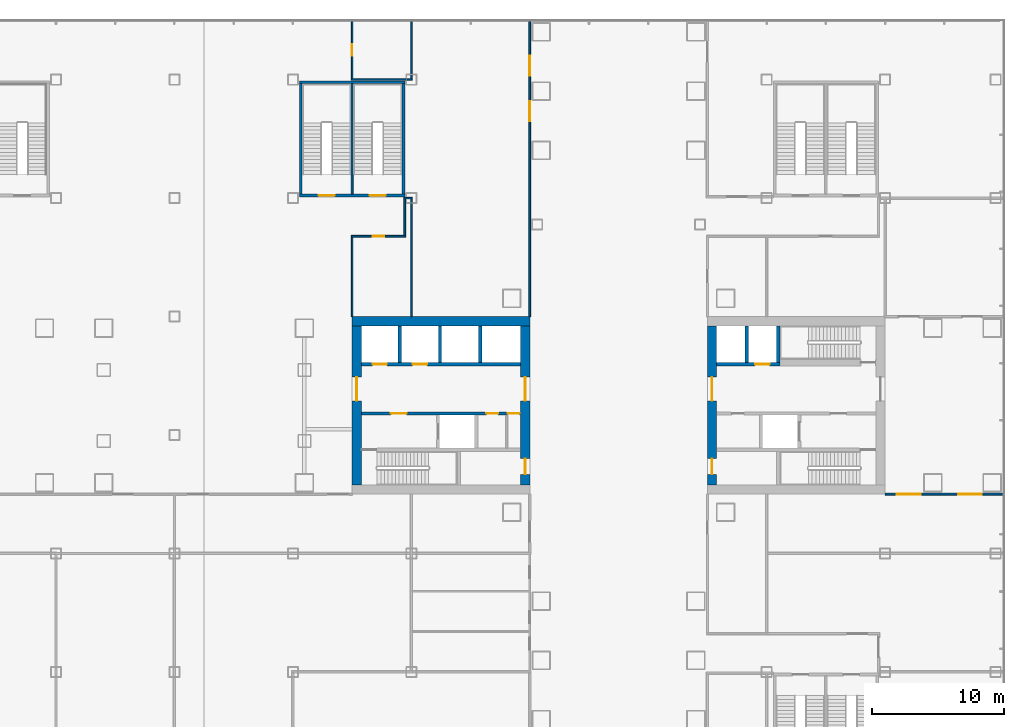
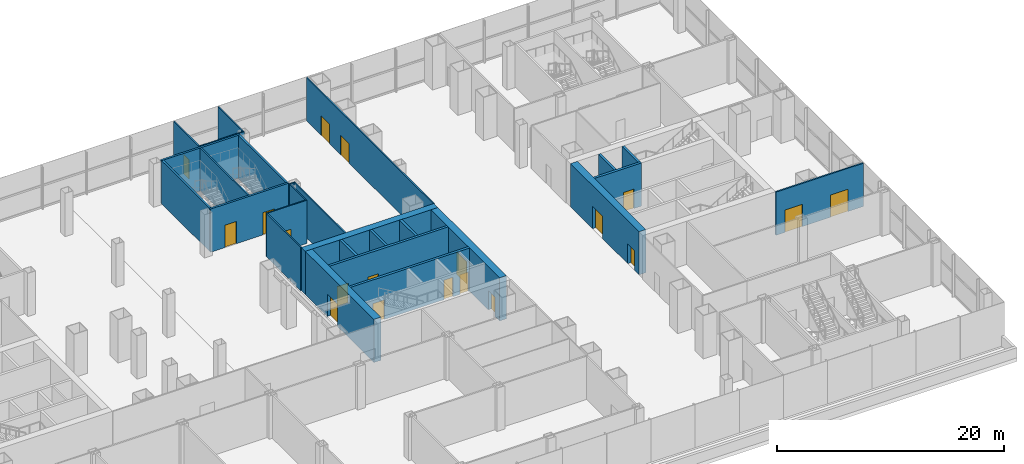
# One storey, part 22 of 30: 27 walls, 19 doors, 19 openings.
"""IFC4 building model written with IfcOpenShell, lengths in metres."""

from ifc_helpers import new_model, si_unit, direction, frame, frame_2d, origin, place, context, subcontext, project, spatial, rectangle, extrude, material, layer, layer_set, type_object, element, fill, save


model = new_model("IFC4")

# Units and contexts
model_context = context("Model", 3, precision=1e-05, world=origin(), true_north=direction((0.0, 1.0)))
body_context = subcontext(model_context, "Body", "Model", "MODEL_VIEW")
ifc_project = project(units=[si_unit("LENGTHUNIT", "METRE"), si_unit("AREAUNIT", "SQUARE_METRE"), si_unit("VOLUMEUNIT", "CUBIC_METRE"), si_unit("PLANEANGLEUNIT", "RADIAN"), si_unit("MASSUNIT", "GRAM", prefix="KILO")], contexts=[model_context])

# Site, building, storey
site_placement = place(None, origin())
site = spatial("IfcSite", under=ifc_project, at=site_placement, CompositionType="ELEMENT")
building_placement = place(site_placement, origin())
building = spatial("IfcBuilding", under=site, at=building_placement, Name="Shamsa Quay Exchange Towers", CompositionType="ELEMENT")
storey_placement = place(building_placement, frame((0.0, 0.0, 23.5)))
storey = spatial("IfcBuildingStorey", under=building, at=storey_placement, Name="L04", CompositionType="ELEMENT", Elevation=23.5)

# Wall
ifc_material_1 = material(Name="Concrete C80/95", Category="concrete")
ifc_layer_1 = layer(ifc_material_1, 0.699951171875)
ifc_layer_set_1 = layer_set([ifc_layer_1], Name="CORE WALL 700 C80/95")
wall_type_1 = type_object("IfcWallType", Name="CORE WALL 700 C80/95", PredefinedType="SHEAR", material=ifc_layer_set_1)
wall_1_placement = place(storey_placement, frame((13.5, 6.39990234375, 0.0)))
element("IfcWall", 1, at=wall_1_placement, inside=storey, type_object=wall_type_1, Name="Core wall T2A-L04-PN", PredefinedType="SHEAR", context=body_context, shape_type="SweptSolid", body=[
    extrude(rectangle(XDim=13.5, YDim=0.699951171875, at=frame_2d((6.75, 0.0))), origin(), (0.0, 0.0, 1.0), 4.64990234375),
])

# Wall, opening, door
wall_2_placement = place(storey_placement, frame((13.85009765625, 6.050048828125, 0.0), z_axis=(0.0, 0.0, 1.0), x_axis=(0.0, -1.0, 0.0)))
wall_2 = element("IfcWall", 2, at=wall_2_placement, inside=storey, type_object=wall_type_1, Name="Core wall T2A-L04-PF", PredefinedType="SHEAR", context=body_context, shape_type="SweptSolid", body=[
    extrude(rectangle(XDim=12.10009765625, YDim=0.699951171875, at=frame_2d((6.050048828125, 0.0))), origin(), (0.0, 0.0, 1.0), 4.64990234375),
])
opening_1_placement = place(wall_2_placement, frame((3.89990234375, 0.0, 0.0)))
opening_1 = element("IfcOpeningElement", 3, at=opening_1_placement, cuts=wall_2, Name="Opening T2A-L04-LBD01", PredefinedType="OPENING", context=body_context, shape_type="SweptSolid", body=[
    extrude(rectangle(XDim=1.800048828125, YDim=2.39990234375, at=frame_2d((0.89990234375, 1.199951171875))), frame((0.0, 0.35986328125, 0.0), z_axis=(0.0, -1.0, 0.0), x_axis=(1.0, 0.0, 0.0)), (0.0, 0.0, 1.0), 0.719970703125),
])
ifc_material_2 = material(Name="Steel, fire rated", Category="steel")
door_type_1 = type_object("IfcDoorType", Name="LIFT LOBBY DOOR PAIR 1800", OperationType="DOUBLE_DOOR_SINGLE_SWING", PredefinedType="DOOR", material=ifc_material_2)
door_1_placement = place(opening_1_placement, origin())
door_1 = element("IfcDoor", 4, at=door_1_placement, inside=storey, type_object=door_type_1, Name="T2A-L04-LBD01", OperationType="DOUBLE_DOOR_SINGLE_SWING", OverallHeight=2.39990234375, OverallWidth=1.800048828125, PredefinedType="DOOR", context=body_context, shape_type="SweptSolid", body=[
    extrude(rectangle(XDim=1.800048828125, YDim=2.39990234375, at=frame_2d((0.89990234375, 1.199951171875))), frame((0.0, 0.02490234375, 0.0), z_axis=(0.0, -1.0, 0.0), x_axis=(1.0, 0.0, 0.0)), (0.0, 0.0, 1.0), 0.050048828125),
])
fill(opening_1, door_1)

# Wall, openings, doors
wall_3_placement = place(storey_placement, frame((26.64990234375, 6.050048828125, 0.0), z_axis=(0.0, 0.0, 1.0), x_axis=(0.0, -1.0, 0.0)))
wall_3 = element("IfcWall", 5, at=wall_3_placement, inside=storey, type_object=wall_type_1, Name="Core wall T2A-L04-PB", PredefinedType="SHEAR", context=body_context, shape_type="SweptSolid", body=[
    extrude(rectangle(XDim=12.10009765625, YDim=0.699951171875, at=frame_2d((6.050048828125, 0.0))), origin(), (0.0, 0.0, 1.0), 4.64990234375),
])
opening_2_placement = place(wall_3_placement, frame((10.10009765625, 0.0, 0.0)))
opening_2 = element("IfcOpeningElement", 6, at=opening_2_placement, cuts=wall_3, Name="Opening T2A-L04-RD02", PredefinedType="OPENING", context=body_context, shape_type="SweptSolid", body=[
    extrude(rectangle(XDim=1.199951171875, YDim=2.10009765625, at=frame_2d((0.60009765625, 1.050048828125))), frame((0.0, 0.35986328125, 0.0), z_axis=(0.0, -1.0, 0.0), x_axis=(1.0, 0.0, 0.0)), (0.0, 0.0, 1.0), 0.719970703125),
])
opening_3_placement = place(wall_3_placement, frame((3.89990234375, 0.0, 0.0)))
opening_3 = element("IfcOpeningElement", 7, at=opening_3_placement, cuts=wall_3, Name="Opening T2A-L04-LBD03", PredefinedType="OPENING", context=body_context, shape_type="SweptSolid", body=[
    extrude(rectangle(XDim=1.800048828125, YDim=2.39990234375, at=frame_2d((0.89990234375, 1.199951171875))), frame((0.0, 0.35986328125, 0.0), z_axis=(0.0, -1.0, 0.0), x_axis=(1.0, 0.0, 0.0)), (0.0, 0.0, 1.0), 0.719970703125),
])
door_2_placement = place(opening_3_placement, origin())
door_2 = element("IfcDoor", 8, at=door_2_placement, inside=storey, type_object=door_type_1, Name="T2A-L04-LBD03", OperationType="DOUBLE_DOOR_SINGLE_SWING", OverallHeight=2.39990234375, OverallWidth=1.800048828125, PredefinedType="DOOR", context=body_context, shape_type="SweptSolid", body=[
    extrude(rectangle(XDim=1.800048828125, YDim=2.39990234375, at=frame_2d((0.89990234375, 1.199951171875))), frame((0.0, 0.02490234375, 0.0), z_axis=(0.0, -1.0, 0.0), x_axis=(1.0, 0.0, 0.0)), (0.0, 0.0, 1.0), 0.050048828125),
])
fill(opening_3, door_2)
door_type_2 = type_object("IfcDoorType", Name="RISER ACCESS DOOR 1200", OperationType="SINGLE_SWING_LEFT", PredefinedType="DOOR", material=ifc_material_2)
door_3_placement = place(opening_2_placement, origin())
door_3 = element("IfcDoor", 9, at=door_3_placement, inside=storey, type_object=door_type_2, Name="T2A-L04-RD02", OperationType="SINGLE_SWING_RIGHT", OverallHeight=2.10009765625, OverallWidth=1.199951171875, PredefinedType="DOOR", context=body_context, shape_type="SweptSolid", body=[
    extrude(rectangle(XDim=1.199951171875, YDim=2.10009765625, at=frame_2d((0.60009765625, 1.050048828125))), frame((0.0, 0.02490234375, 0.0), z_axis=(0.0, -1.0, 0.0), x_axis=(1.0, 0.0, 0.0)), (0.0, 0.0, 1.0), 0.050048828125),
])
fill(opening_2, door_3)

wall_4_placement = place(storey_placement, frame((40.85009765625, -6.050048828125, 0.0), z_axis=(0.0, 0.0, 1.0), x_axis=(0.0, 1.0, 0.0)))
wall_4 = element("IfcWall", 10, at=wall_4_placement, inside=storey, type_object=wall_type_1, Name="Core wall T2B-L04-PB", PredefinedType="SHEAR", context=body_context, shape_type="SweptSolid", body=[
    extrude(rectangle(XDim=12.10009765625, YDim=0.699951171875, at=frame_2d((6.050048828125, 0.0))), origin(), (0.0, 0.0, 1.0), 4.64990234375),
])
opening_4_placement = place(wall_4_placement, frame((0.800048828125, 0.0, 0.0)))
opening_4 = element("IfcOpeningElement", 11, at=opening_4_placement, cuts=wall_4, Name="Opening T2B-L04-RD02", PredefinedType="OPENING", context=body_context, shape_type="SweptSolid", body=[
    extrude(rectangle(XDim=1.199951171875, YDim=2.10009765625, at=frame_2d((0.60009765625, 1.050048828125))), frame((0.0, 0.35986328125, 0.0), z_axis=(0.0, -1.0, 0.0), x_axis=(1.0, 0.0, 0.0)), (0.0, 0.0, 1.0), 0.719970703125),
])
opening_5_placement = place(wall_4_placement, frame((6.39990234375, 0.0, 0.0)))
opening_5 = element("IfcOpeningElement", 12, at=opening_5_placement, cuts=wall_4, Name="Opening T2B-L04-LBD03", PredefinedType="OPENING", context=body_context, shape_type="SweptSolid", body=[
    extrude(rectangle(XDim=1.800048828125, YDim=2.39990234375, at=frame_2d((0.89990234375, 1.199951171875))), frame((0.0, 0.35986328125, 0.0), z_axis=(0.0, -1.0, 0.0), x_axis=(1.0, 0.0, 0.0)), (0.0, 0.0, 1.0), 0.719970703125),
])
door_4_placement = place(opening_5_placement, origin())
door_4 = element("IfcDoor", 13, at=door_4_placement, inside=storey, type_object=door_type_1, Name="T2B-L04-LBD03", OperationType="DOUBLE_DOOR_SINGLE_SWING", OverallHeight=2.39990234375, OverallWidth=1.800048828125, PredefinedType="DOOR", context=body_context, shape_type="SweptSolid", body=[
    extrude(rectangle(XDim=1.800048828125, YDim=2.39990234375, at=frame_2d((0.89990234375, 1.199951171875))), frame((0.0, 0.02490234375, 0.0), z_axis=(0.0, -1.0, 0.0), x_axis=(1.0, 0.0, 0.0)), (0.0, 0.0, 1.0), 0.050048828125),
])
fill(opening_5, door_4)
door_5_placement = place(opening_4_placement, origin())
door_5 = element("IfcDoor", 14, at=door_5_placement, inside=storey, type_object=door_type_2, Name="T2B-L04-RD02", OperationType="SINGLE_SWING_LEFT", OverallHeight=2.10009765625, OverallWidth=1.199951171875, PredefinedType="DOOR", context=body_context, shape_type="SweptSolid", body=[
    extrude(rectangle(XDim=1.199951171875, YDim=2.10009765625, at=frame_2d((0.60009765625, 1.050048828125))), frame((0.0, 0.02490234375, 0.0), z_axis=(0.0, -1.0, 0.0), x_axis=(1.0, 0.0, 0.0)), (0.0, 0.0, 1.0), 0.050048828125),
])
fill(opening_4, door_5)

ifc_material_3 = material(Name="Laminated fire-resisting glass in a metal frame", Category="glass")
ifc_layer_2 = layer(ifc_material_3, 0.125)
ifc_layer_set_2 = layer_set([ifc_layer_2], Name="Glazed partition 125 mm EI 60")
wall_type_2 = type_object("IfcWallType", Name="Glazed partition 125 mm EI 60", PredefinedType="PARTITIONING", material=ifc_layer_set_2)
wall_5_placement = place(storey_placement, frame((27.0, 29.155029296875, 0.0), z_axis=(0.0, 0.0, 1.0), x_axis=(0.0, -1.0, 0.0)))
wall_5 = element("IfcWall", 15, at=wall_5_placement, inside=storey, type_object=wall_type_2, Name="Partition PD-L04-W09", PredefinedType="PARTITIONING", context=body_context, shape_type="SweptSolid", body=[
    extrude(rectangle(XDim=22.405029296875, YDim=0.125, at=frame_2d((11.20263671875, 0.0))), origin(), (0.0, 0.0, 1.0), 4.64990234375),
])
opening_6_placement = place(wall_5_placement, frame((2.60498046875, 0.0, 0.0)))
opening_6 = element("IfcOpeningElement", 16, at=opening_6_placement, cuts=wall_5, Name="Opening PD-L04-D37", PredefinedType="OPENING", context=body_context, shape_type="SweptSolid", body=[
    extrude(rectangle(XDim=1.5, YDim=2.10009765625, at=frame_2d((0.75, 1.050048828125))), frame((0.0, 0.072509765625, 0.0), z_axis=(0.0, -1.0, 0.0), x_axis=(1.0, 0.0, 0.0)), (0.0, 0.0, 1.0), 0.14501953125),
])
opening_7_placement = place(wall_5_placement, frame((6.054931640625, 0.0, 0.0)))
opening_7 = element("IfcOpeningElement", 17, at=opening_7_placement, cuts=wall_5, Name="Opening PD-L04-D38", PredefinedType="OPENING", context=body_context, shape_type="SweptSolid", body=[
    extrude(rectangle(XDim=1.5, YDim=2.10009765625, at=frame_2d((0.75, 1.050048828125))), frame((0.0, 0.072509765625, 0.0), z_axis=(0.0, -1.0, 0.0), x_axis=(1.0, 0.0, 0.0)), (0.0, 0.0, 1.0), 0.14501953125),
])
ifc_material_4 = material(Name="Timber door leaf in a metal frame", Category="wood")
door_type_3 = type_object("IfcDoorType", Name="Door 1500x2100 FD30S pair", OperationType="NOTDEFINED", PredefinedType="DOOR", material=ifc_material_4)
door_6_placement = place(opening_6_placement, origin())
door_6 = element("IfcDoor", 18, at=door_6_placement, inside=storey, type_object=door_type_3, Name="Door PD-L04-D37", OperationType="DOUBLE_DOOR_SINGLE_SWING", OverallHeight=2.10009765625, OverallWidth=1.5, PredefinedType="DOOR", context=body_context, shape_type="SweptSolid", body=[
    extrude(rectangle(XDim=1.5, YDim=2.10009765625, at=frame_2d((0.75, 1.050048828125))), frame((0.0, 0.02490234375, 0.0), z_axis=(0.0, -1.0, 0.0), x_axis=(1.0, 0.0, 0.0)), (0.0, 0.0, 1.0), 0.050048828125),
])
fill(opening_6, door_6)
door_7_placement = place(opening_7_placement, origin())
door_7 = element("IfcDoor", 19, at=door_7_placement, inside=storey, type_object=door_type_3, Name="Door PD-L04-D38", OperationType="DOUBLE_DOOR_SINGLE_SWING", OverallHeight=2.10009765625, OverallWidth=1.5, PredefinedType="DOOR", context=body_context, shape_type="SweptSolid", body=[
    extrude(rectangle(XDim=1.5, YDim=2.10009765625, at=frame_2d((0.75, 1.050048828125))), frame((0.0, 0.02490234375, 0.0), z_axis=(0.0, -1.0, 0.0), x_axis=(1.0, 0.0, 0.0)), (0.0, 0.0, 1.0), 0.050048828125),
])
fill(opening_7, door_7)

# Wall, opening, door
wall_6_placement = place(storey_placement, frame((13.5, 29.155029296875, 0.0), z_axis=(0.0, 0.0, 1.0), x_axis=(0.0, -1.0, 0.0)))
wall_6 = element("IfcWall", 20, at=wall_6_placement, inside=storey, type_object=wall_type_2, Name="Partition PD-L04-W19", PredefinedType="PARTITIONING", context=body_context, shape_type="SweptSolid", body=[
    extrude(rectangle(XDim=4.342529296875, YDim=0.125, at=frame_2d((2.17138671875, 0.0))), origin(), (0.0, 0.0, 1.0), 4.64990234375),
])
opening_8_placement = place(wall_6_placement, frame((1.705078125, 0.0, 0.0)))
opening_8 = element("IfcOpeningElement", 21, at=opening_8_placement, cuts=wall_6, Name="Opening PD-L04-D27", PredefinedType="OPENING", context=body_context, shape_type="SweptSolid", body=[
    extrude(rectangle(XDim=0.89990234375, YDim=2.10009765625, at=frame_2d((0.449951171875, 1.050048828125))), frame((0.0, 0.072509765625, 0.0), z_axis=(0.0, -1.0, 0.0), x_axis=(1.0, 0.0, 0.0)), (0.0, 0.0, 1.0), 0.14501953125),
])
door_type_4 = type_object("IfcDoorType", Name="Door 900x2100 FD30S", OperationType="NOTDEFINED", PredefinedType="DOOR", material=ifc_material_4)
door_8_placement = place(opening_8_placement, origin())
door_8 = element("IfcDoor", 22, at=door_8_placement, inside=storey, type_object=door_type_4, Name="Door PD-L04-D27", OperationType="SINGLE_SWING_LEFT", OverallHeight=2.10009765625, OverallWidth=0.89990234375, PredefinedType="DOOR", context=body_context, shape_type="SweptSolid", body=[
    extrude(rectangle(XDim=0.89990234375, YDim=2.10009765625, at=frame_2d((0.449951171875, 1.050048828125))), frame((0.0, 0.02490234375, 0.0), z_axis=(0.0, -1.0, 0.0), x_axis=(1.0, 0.0, 0.0)), (0.0, 0.0, 1.0), 0.050048828125),
])
fill(opening_8, door_8)

# Wall
wall_7_placement = place(storey_placement, frame((13.5, 12.787109375, 0.0), z_axis=(0.0, 0.0, 1.0), x_axis=(0.0, -1.0, 0.0)))
element("IfcWall", 23, at=wall_7_placement, inside=storey, type_object=wall_type_2, Name="Partition PD-L04-W20", PredefinedType="PARTITIONING", context=body_context, shape_type="SweptSolid", body=[
    extrude(rectangle(XDim=6.037109375, YDim=0.125, at=frame_2d((3.0185546875, 0.0))), origin(), (0.0, 0.0, 1.0), 4.64990234375),
])

# Wall, opening, door
wall_8_placement = place(storey_placement, frame((17.5625, 12.849609375, 0.0), z_axis=(0.0, 0.0, 1.0), x_axis=(-1.0, 0.0, 0.0)))
wall_8 = element("IfcWall", 24, at=wall_8_placement, inside=storey, type_object=wall_type_2, Name="Partition PD-L04-W34", PredefinedType="PARTITIONING", context=body_context, shape_type="SweptSolid", body=[
    extrude(rectangle(XDim=4.125, YDim=0.125, at=frame_2d((2.0625, 0.0))), origin(), (0.0, 0.0, 1.0), 4.64990234375),
])
opening_9_placement = place(wall_8_placement, frame((1.612548828125, 0.0, 0.0)))
opening_9 = element("IfcOpeningElement", 25, at=opening_9_placement, cuts=wall_8, Name="Opening PD-L04-D28", PredefinedType="OPENING", context=body_context, shape_type="SweptSolid", body=[
    extrude(rectangle(XDim=0.89990234375, YDim=2.10009765625, at=frame_2d((0.449951171875, 1.050048828125))), frame((0.0, 0.072509765625, 0.0), z_axis=(0.0, -1.0, 0.0), x_axis=(1.0, 0.0, 0.0)), (0.0, 0.0, 1.0), 0.14501953125),
])
door_9_placement = place(opening_9_placement, origin())
door_9 = element("IfcDoor", 26, at=door_9_placement, inside=storey, type_object=door_type_4, Name="Door PD-L04-D28", OperationType="SINGLE_SWING_LEFT", OverallHeight=2.10009765625, OverallWidth=0.89990234375, PredefinedType="DOOR", context=body_context, shape_type="SweptSolid", body=[
    extrude(rectangle(XDim=0.89990234375, YDim=2.10009765625, at=frame_2d((0.449951171875, 1.050048828125))), frame((0.0, 0.02490234375, 0.0), z_axis=(0.0, -1.0, 0.0), x_axis=(1.0, 0.0, 0.0)), (0.0, 0.0, 1.0), 0.050048828125),
])
fill(opening_9, door_9)

# Walls
wall_9_placement = place(storey_placement, frame((17.5, 15.6875, 0.0), z_axis=(0.0, 0.0, 1.0), x_axis=(0.0, -1.0, 0.0)))
element("IfcWall", 27, at=wall_9_placement, inside=storey, type_object=wall_type_2, Name="Partition PD-L04-W39", PredefinedType="PARTITIONING", context=body_context, shape_type="SweptSolid", body=[
    extrude(rectangle(XDim=2.775390625, YDim=0.125, at=frame_2d((1.3876953125, 0.0))), origin(), (0.0, 0.0, 1.0), 4.64990234375),
])
wall_10_placement = place(storey_placement, frame((17.4375, 15.75, 0.0)))
element("IfcWall", 28, at=wall_10_placement, inside=storey, type_object=wall_type_2, Name="Partition PD-L04-W70", PredefinedType="PARTITIONING", context=body_context, shape_type="SweptSolid", body=[
    extrude(rectangle(XDim=0.625, YDim=0.125, at=frame_2d((0.3125, 0.0))), origin(), (0.0, 0.0, 1.0), 4.64990234375),
])
wall_11_placement = place(storey_placement, frame((18.0625, 24.75, 0.0), z_axis=(0.0, 0.0, 1.0), x_axis=(-1.0, 0.0, 0.0)))
element("IfcWall", 29, at=wall_11_placement, inside=storey, type_object=wall_type_2, Name="Partition PD-L04-W73", PredefinedType="PARTITIONING", context=body_context, shape_type="SweptSolid", body=[
    extrude(rectangle(XDim=4.625, YDim=0.125, at=frame_2d((2.3125, 0.0))), origin(), (0.0, 0.0, 1.0), 4.64990234375),
])
wall_12_placement = place(storey_placement, frame((18.0, 29.155029296875, 0.0), z_axis=(0.0, 0.0, 1.0), x_axis=(0.0, -1.0, 0.0)))
element("IfcWall", 30, at=wall_12_placement, inside=storey, type_object=wall_type_2, Name="Partition PD-L04-W75", PredefinedType="PARTITIONING", context=body_context, shape_type="SweptSolid", body=[
    extrude(rectangle(XDim=4.342529296875, YDim=0.125, at=frame_2d((2.17138671875, 0.0))), origin(), (0.0, 0.0, 1.0), 4.64990234375),
])
wall_13_placement = place(storey_placement, frame((18.0, 15.6875, 0.0), z_axis=(0.0, 0.0, 1.0), x_axis=(0.0, -1.0, 0.0)))
element("IfcWall", 31, at=wall_13_placement, inside=storey, type_object=wall_type_2, Name="Partition PD-L04-W76", PredefinedType="PARTITIONING", context=body_context, shape_type="SweptSolid", body=[
    extrude(rectangle(XDim=8.9375, YDim=0.125, at=frame_2d((4.46875, 0.0))), origin(), (0.0, 0.0, 1.0), 4.64990234375),
])

# Wall, openings, doors
ifc_material_5 = material(Name="Gypsum board partition on metal studs")
ifc_layer_3 = layer(ifc_material_5, 0.14990234375)
ifc_layer_set_3 = layer_set([ifc_layer_3], Name="Partition 150 mm EI 60")
wall_type_3 = type_object("IfcWallType", Name="Partition 150 mm EI 60", PredefinedType="PARTITIONING", material=ifc_layer_set_3)
wall_14_placement = place(storey_placement, frame((54.0, -6.75, 0.0)))
wall_14 = element("IfcWall", 32, at=wall_14_placement, inside=storey, type_object=wall_type_3, Name="Partition PD-L04-W29", PredefinedType="PARTITIONING", context=body_context, shape_type="SweptSolid", body=[
    extrude(rectangle(XDim=8.905029296875, YDim=0.14990234375, at=frame_2d((4.45263671875, 0.0))), origin(), (0.0, 0.0, 1.0), 4.64990234375),
])
opening_10_placement = place(wall_14_placement, frame((0.89990234375, 0.0, 0.0)))
opening_10 = element("IfcOpeningElement", 33, at=opening_10_placement, cuts=wall_14, Name="Opening PD-L04-D48", PredefinedType="OPENING", context=body_context, shape_type="SweptSolid", body=[
    extrude(rectangle(XDim=1.800048828125, YDim=2.39990234375, at=frame_2d((0.89990234375, 1.199951171875))), frame((0.0, 0.0849609375, 0.0), z_axis=(0.0, -1.0, 0.0), x_axis=(1.0, 0.0, 0.0)), (0.0, 0.0, 1.0), 0.169921875),
])
opening_11_placement = place(wall_14_placement, frame((5.550048828125, 0.0, 0.0)))
opening_11 = element("IfcOpeningElement", 34, at=opening_11_placement, cuts=wall_14, Name="Opening PD-L04-D49", PredefinedType="OPENING", context=body_context, shape_type="SweptSolid", body=[
    extrude(rectangle(XDim=1.800048828125, YDim=2.39990234375, at=frame_2d((0.89990234375, 1.199951171875))), frame((0.0, 0.0849609375, 0.0), z_axis=(0.0, -1.0, 0.0), x_axis=(1.0, 0.0, 0.0)), (0.0, 0.0, 1.0), 0.169921875),
])
door_type_5 = type_object("IfcDoorType", Name="Door 1800x2400 FD30S pair", OperationType="NOTDEFINED", PredefinedType="DOOR", material=ifc_material_4)
door_10_placement = place(opening_10_placement, origin())
door_10 = element("IfcDoor", 35, at=door_10_placement, inside=storey, type_object=door_type_5, Name="Door PD-L04-D48", OperationType="DOUBLE_DOOR_SINGLE_SWING", OverallHeight=2.39990234375, OverallWidth=1.800048828125, PredefinedType="DOOR", context=body_context, shape_type="SweptSolid", body=[
    extrude(rectangle(XDim=1.800048828125, YDim=2.39990234375, at=frame_2d((0.89990234375, 1.199951171875))), frame((0.0, 0.02490234375, 0.0), z_axis=(0.0, -1.0, 0.0), x_axis=(1.0, 0.0, 0.0)), (0.0, 0.0, 1.0), 0.050048828125),
])
fill(opening_10, door_10)
door_11_placement = place(opening_11_placement, origin())
door_11 = element("IfcDoor", 36, at=door_11_placement, inside=storey, type_object=door_type_5, Name="Door PD-L04-D49", OperationType="DOUBLE_DOOR_SINGLE_SWING", OverallHeight=2.39990234375, OverallWidth=1.800048828125, PredefinedType="DOOR", context=body_context, shape_type="SweptSolid", body=[
    extrude(rectangle(XDim=1.800048828125, YDim=2.39990234375, at=frame_2d((0.89990234375, 1.199951171875))), frame((0.0, 0.02490234375, 0.0), z_axis=(0.0, -1.0, 0.0), x_axis=(1.0, 0.0, 0.0)), (0.0, 0.0, 1.0), 0.050048828125),
])
fill(opening_11, door_11)

ifc_material_6 = material(Name="Concrete C50/60", Category="concrete")
ifc_layer_4 = layer(ifc_material_6, 0.25)
ifc_layer_set_4 = layer_set([ifc_layer_4], Name="SHAFT WALL 250 C50/60")
wall_type_4 = type_object("IfcWallType", Name="SHAFT WALL 250 C50/60", PredefinedType="SHEAR", material=ifc_layer_set_4)
wall_15_placement = place(storey_placement, frame((26.300048828125, -0.625, 0.0), z_axis=(0.0, 0.0, 1.0), x_axis=(-1.0, 0.0, 0.0)))
wall_15 = element("IfcWall", 37, at=wall_15_placement, inside=storey, type_object=wall_type_4, Name="Shaft wall T2A-L04-B", PredefinedType="SHEAR", context=body_context, shape_type="SweptSolid", body=[
    extrude(rectangle(XDim=12.10009765625, YDim=0.25, at=frame_2d((6.050048828125, 0.0))), origin(), (0.0, 0.0, 1.0), 4.64990234375),
])
opening_12_placement = place(wall_15_placement, frame((8.64990234375, 0.0, 0.0)))
opening_12 = element("IfcOpeningElement", 38, at=opening_12_placement, cuts=wall_15, Name="Opening T2A-L04-FD05", PredefinedType="OPENING", context=body_context, shape_type="SweptSolid", body=[
    extrude(rectangle(XDim=1.199951171875, YDim=2.10009765625, at=frame_2d((0.60009765625, 1.050048828125))), frame((0.0, 0.135009765625, 0.0), z_axis=(0.0, -1.0, 0.0), x_axis=(1.0, 0.0, 0.0)), (0.0, 0.0, 1.0), 0.27001953125),
])
opening_13_placement = place(wall_15_placement, frame((1.699951171875, 0.0, 0.0)))
opening_13 = element("IfcOpeningElement", 39, at=opening_13_placement, cuts=wall_15, Name="Opening T2A-L04-SV06", PredefinedType="OPENING", context=body_context, shape_type="SweptSolid", body=[
    extrude(rectangle(XDim=0.89990234375, YDim=2.10009765625, at=frame_2d((0.449951171875, 1.050048828125))), frame((0.0, 0.135009765625, 0.0), z_axis=(0.0, -1.0, 0.0), x_axis=(1.0, 0.0, 0.0)), (0.0, 0.0, 1.0), 0.27001953125),
])
opening_14_placement = place(wall_15_placement, frame((0.074951171875, 0.0, 0.0)))
opening_14 = element("IfcOpeningElement", 40, at=opening_14_placement, cuts=wall_15, Name="Opening T2A-L04-SV07", PredefinedType="OPENING", context=body_context, shape_type="SweptSolid", body=[
    extrude(rectangle(XDim=0.89990234375, YDim=2.10009765625, at=frame_2d((0.449951171875, 1.050048828125))), frame((0.0, 0.135009765625, 0.0), z_axis=(0.0, -1.0, 0.0), x_axis=(1.0, 0.0, 0.0)), (0.0, 0.0, 1.0), 0.27001953125),
])
door_type_6 = type_object("IfcDoorType", Name="FIRE SERVICE LOBBY DOOR 1200", OperationType="SINGLE_SWING_LEFT", PredefinedType="DOOR", material=ifc_material_2)
door_12_placement = place(opening_12_placement, origin())
door_12 = element("IfcDoor", 41, at=door_12_placement, inside=storey, type_object=door_type_6, Name="T2A-L04-FD05", OperationType="SINGLE_SWING_RIGHT", OverallHeight=2.10009765625, OverallWidth=1.199951171875, PredefinedType="DOOR", context=body_context, shape_type="SweptSolid", body=[
    extrude(rectangle(XDim=1.199951171875, YDim=2.10009765625, at=frame_2d((0.60009765625, 1.050048828125))), frame((0.0, 0.02490234375, 0.0), z_axis=(0.0, -1.0, 0.0), x_axis=(1.0, 0.0, 0.0)), (0.0, 0.0, 1.0), 0.050048828125),
])
fill(opening_12, door_12)
door_type_7 = type_object("IfcDoorType", Name="SERVICE ROOM DOOR 900", OperationType="SINGLE_SWING_LEFT", PredefinedType="DOOR", material=ifc_material_2)
door_13_placement = place(opening_13_placement, origin())
door_13 = element("IfcDoor", 42, at=door_13_placement, inside=storey, type_object=door_type_7, Name="T2A-L04-SV06", OperationType="SINGLE_SWING_LEFT", OverallHeight=2.10009765625, OverallWidth=0.89990234375, PredefinedType="DOOR", context=body_context, shape_type="SweptSolid", body=[
    extrude(rectangle(XDim=0.89990234375, YDim=2.10009765625, at=frame_2d((0.449951171875, 1.050048828125))), frame((0.0, 0.02490234375, 0.0), z_axis=(0.0, -1.0, 0.0), x_axis=(1.0, 0.0, 0.0)), (0.0, 0.0, 1.0), 0.050048828125),
])
fill(opening_13, door_13)
door_14_placement = place(opening_14_placement, origin())
door_14 = element("IfcDoor", 43, at=door_14_placement, inside=storey, type_object=door_type_7, Name="T2A-L04-SV07", OperationType="SINGLE_SWING_LEFT", OverallHeight=2.10009765625, OverallWidth=0.89990234375, PredefinedType="DOOR", context=body_context, shape_type="SweptSolid", body=[
    extrude(rectangle(XDim=0.89990234375, YDim=2.10009765625, at=frame_2d((0.449951171875, 1.050048828125))), frame((0.0, 0.02490234375, 0.0), z_axis=(0.0, -1.0, 0.0), x_axis=(1.0, 0.0, 0.0)), (0.0, 0.0, 1.0), 0.050048828125),
])
fill(opening_14, door_14)

wall_16_placement = place(storey_placement, frame((14.199951171875, 3.125, 0.0)))
wall_16 = element("IfcWall", 44, at=wall_16_placement, inside=storey, type_object=wall_type_4, Name="Shaft wall T2A-L04-N", PredefinedType="SHEAR", context=body_context, shape_type="SweptSolid", body=[
    extrude(rectangle(XDim=12.10009765625, YDim=0.25, at=frame_2d((6.050048828125, 0.0))), origin(), (0.0, 0.0, 1.0), 4.64990234375),
])
opening_15_placement = place(wall_16_placement, frame((0.85009765625, 0.0, 0.0)))
opening_15 = element("IfcOpeningElement", 45, at=opening_15_placement, cuts=wall_16, Name="Opening T2A-L04-LD09", PredefinedType="OPENING", context=body_context, shape_type="SweptSolid", body=[
    extrude(rectangle(XDim=1.10009765625, YDim=2.10009765625, at=frame_2d((0.550048828125, 1.050048828125))), frame((0.0, 0.135009765625, 0.0), z_axis=(0.0, -1.0, 0.0), x_axis=(1.0, 0.0, 0.0)), (0.0, 0.0, 1.0), 0.27001953125),
])
opening_16_placement = place(wall_16_placement, frame((3.89990234375, 0.0, 0.0)))
opening_16 = element("IfcOpeningElement", 46, at=opening_16_placement, cuts=wall_16, Name="Opening T2A-L04-LD10", PredefinedType="OPENING", context=body_context, shape_type="SweptSolid", body=[
    extrude(rectangle(XDim=1.10009765625, YDim=2.10009765625, at=frame_2d((0.550048828125, 1.050048828125))), frame((0.0, 0.135009765625, 0.0), z_axis=(0.0, -1.0, 0.0), x_axis=(1.0, 0.0, 0.0)), (0.0, 0.0, 1.0), 0.27001953125),
])
door_type_8 = type_object("IfcDoorType", Name="LANDING DOOR 1100", OperationType="SLIDING_TO_LEFT", PredefinedType="DOOR", material=ifc_material_2)
door_15_placement = place(opening_15_placement, origin())
door_15 = element("IfcDoor", 47, at=door_15_placement, inside=storey, type_object=door_type_8, Name="T2A-L04-LD09", OperationType="SLIDING_TO_LEFT", OverallHeight=2.10009765625, OverallWidth=1.10009765625, PredefinedType="DOOR", context=body_context, shape_type="SweptSolid", body=[
    extrude(rectangle(XDim=1.10009765625, YDim=2.10009765625, at=frame_2d((0.550048828125, 1.050048828125))), frame((0.0, 0.02490234375, 0.0), z_axis=(0.0, -1.0, 0.0), x_axis=(1.0, 0.0, 0.0)), (0.0, 0.0, 1.0), 0.050048828125),
])
fill(opening_15, door_15)
door_16_placement = place(opening_16_placement, origin())
door_16 = element("IfcDoor", 48, at=door_16_placement, inside=storey, type_object=door_type_8, Name="T2A-L04-LD10", OperationType="SLIDING_TO_LEFT", OverallHeight=2.10009765625, OverallWidth=1.10009765625, PredefinedType="DOOR", context=body_context, shape_type="SweptSolid", body=[
    extrude(rectangle(XDim=1.10009765625, YDim=2.10009765625, at=frame_2d((0.550048828125, 1.050048828125))), frame((0.0, 0.02490234375, 0.0), z_axis=(0.0, -1.0, 0.0), x_axis=(1.0, 0.0, 0.0)), (0.0, 0.0, 1.0), 0.050048828125),
])
fill(opening_16, door_16)

# Walls
for number, where, z_axis, x_axis, name in (
    (49, (17.125, 3.25, 0.0), (0.0, 0.0, 1.0), (0.0, 1.0, 0.0), "Shaft wall T2A-L04-D0"),
    (50, (20.175048828125, 3.25, 0.0), (0.0, 0.0, 1.0), (0.0, 1.0, 0.0), "Shaft wall T2A-L04-D1"),
    (51, (23.22509765625, 3.25, 0.0), (0.0, 0.0, 1.0), (0.0, 1.0, 0.0), "Shaft wall T2A-L04-D2"),
):
    element("IfcWall", number, at=place(storey_placement, frame(where, z_axis=z_axis, x_axis=x_axis)), inside=storey, type_object=wall_type_4, Name=name, PredefinedType="SHEAR", context=body_context, shape_type="SweptSolid", body=[
        extrude(rectangle(XDim=2.800048828125, YDim=0.25, at=frame_2d((1.39990234375, 0.0))), origin(), (0.0, 0.0, 1.0), 4.64990234375),
    ])

# Wall, opening, door
wall_17_placement = place(storey_placement, frame((46.0, 3.125, 0.0), z_axis=(0.0, 0.0, 1.0), x_axis=(-1.0, 0.0, 0.0)))
wall_17 = element("IfcWall", 52, at=wall_17_placement, inside=storey, type_object=wall_type_4, Name="Shaft wall T2B-L04-N2", PredefinedType="SHEAR", context=body_context, shape_type="SweptSolid", body=[
    extrude(rectangle(XDim=4.800048828125, YDim=0.25, at=frame_2d((2.39990234375, 0.0))), origin(), (0.0, 0.0, 1.0), 4.64990234375),
])
opening_17_placement = place(wall_17_placement, frame((0.77490234375, 0.0, 0.0)))
opening_17 = element("IfcOpeningElement", 53, at=opening_17_placement, cuts=wall_17, Name="Opening T2B-L04-LD09", PredefinedType="OPENING", context=body_context, shape_type="SweptSolid", body=[
    extrude(rectangle(XDim=1.10009765625, YDim=2.10009765625, at=frame_2d((0.550048828125, 1.050048828125))), frame((0.0, 0.135009765625, 0.0), z_axis=(0.0, -1.0, 0.0), x_axis=(1.0, 0.0, 0.0)), (0.0, 0.0, 1.0), 0.27001953125),
])
door_17_placement = place(opening_17_placement, origin())
door_17 = element("IfcDoor", 54, at=door_17_placement, inside=storey, type_object=door_type_8, Name="T2B-L04-LD09", OperationType="SLIDING_TO_LEFT", OverallHeight=2.10009765625, OverallWidth=1.10009765625, PredefinedType="DOOR", context=body_context, shape_type="SweptSolid", body=[
    extrude(rectangle(XDim=1.10009765625, YDim=2.10009765625, at=frame_2d((0.550048828125, 1.050048828125))), frame((0.0, 0.02490234375, 0.0), z_axis=(0.0, -1.0, 0.0), x_axis=(1.0, 0.0, 0.0)), (0.0, 0.0, 1.0), 0.050048828125),
])
fill(opening_17, door_17)

# Walls
for number, where, z_axis, x_axis, name in (
    (55, (45.875, 3.25, 0.0), (0.0, 0.0, 1.0), (0.0, 1.0, 0.0), "Shaft wall T2B-L04-STF2"),
    (56, (43.47509765625, 3.25, 0.0), (0.0, 0.0, 1.0), (0.0, 1.0, 0.0), "Shaft wall T2B-L04-D0"),
):
    element("IfcWall", number, at=place(storey_placement, frame(where, z_axis=z_axis, x_axis=x_axis)), inside=storey, type_object=wall_type_4, Name=name, PredefinedType="SHEAR", context=body_context, shape_type="SweptSolid", body=[
        extrude(rectangle(XDim=2.800048828125, YDim=0.25, at=frame_2d((1.39990234375, 0.0))), origin(), (0.0, 0.0, 1.0), 4.64990234375),
    ])

# Wall, openings, doors
ifc_layer_5 = layer(ifc_material_6, 0.199951171875)
ifc_layer_set_5 = layer_set([ifc_layer_5], Name="STAIR ENCLOSURE WALL 200 C50/60")
wall_type_5 = type_object("IfcWallType", Name="STAIR ENCLOSURE WALL 200 C50/60", PredefinedType="SHEAR", material=ifc_layer_set_5)
wall_18_placement = place(storey_placement, frame((9.5, 15.949951171875, 0.0)))
wall_18 = element("IfcWall", 57, at=wall_18_placement, inside=storey, type_object=wall_type_5, Name="Stair enclosure wall PS3 inward", PredefinedType="SHEAR", context=body_context, shape_type="SweptSolid", body=[
    extrude(rectangle(XDim=8.0, YDim=0.199951171875, at=frame_2d((4.0, 0.0))), origin(), (0.0, 0.0, 1.0), 4.64990234375),
])
opening_18_placement = place(wall_18_placement, frame((1.46240234375, 0.0, 0.0)))
opening_18 = element("IfcOpeningElement", 58, at=opening_18_placement, cuts=wall_18, Name="Opening PS3A-L04-SD01", PredefinedType="OPENING", context=body_context, shape_type="SweptSolid", body=[
    extrude(rectangle(XDim=1.199951171875, YDim=2.39990234375, at=frame_2d((0.60009765625, 1.199951171875))), frame((0.0, 0.10986328125, 0.0), z_axis=(0.0, -1.0, 0.0), x_axis=(1.0, 0.0, 0.0)), (0.0, 0.0, 1.0), 0.219970703125),
])
opening_19_placement = place(wall_18_placement, frame((5.33740234375, 0.0, 0.0)))
opening_19 = element("IfcOpeningElement", 59, at=opening_19_placement, cuts=wall_18, Name="Opening PS3B-L04-SD01", PredefinedType="OPENING", context=body_context, shape_type="SweptSolid", body=[
    extrude(rectangle(XDim=1.199951171875, YDim=2.39990234375, at=frame_2d((0.60009765625, 1.199951171875))), frame((0.0, 0.10986328125, 0.0), z_axis=(0.0, -1.0, 0.0), x_axis=(1.0, 0.0, 0.0)), (0.0, 0.0, 1.0), 0.219970703125),
])
door_type_9 = type_object("IfcDoorType", Name="PODIUM STAIR DOOR 1200", OperationType="SINGLE_SWING_LEFT", PredefinedType="DOOR", material=ifc_material_2)
door_18_placement = place(opening_18_placement, origin())
door_18 = element("IfcDoor", 60, at=door_18_placement, inside=storey, type_object=door_type_9, Name="PS3A-L04-SD01", OperationType="SINGLE_SWING_LEFT", OverallHeight=2.39990234375, OverallWidth=1.199951171875, PredefinedType="DOOR", context=body_context, shape_type="SweptSolid", body=[
    extrude(rectangle(XDim=1.199951171875, YDim=2.39990234375, at=frame_2d((0.60009765625, 1.199951171875))), frame((0.0, 0.02490234375, 0.0), z_axis=(0.0, -1.0, 0.0), x_axis=(1.0, 0.0, 0.0)), (0.0, 0.0, 1.0), 0.050048828125),
])
fill(opening_18, door_18)
door_19_placement = place(opening_19_placement, origin())
door_19 = element("IfcDoor", 61, at=door_19_placement, inside=storey, type_object=door_type_9, Name="PS3B-L04-SD01", OperationType="SINGLE_SWING_RIGHT", OverallHeight=2.39990234375, OverallWidth=1.199951171875, PredefinedType="DOOR", context=body_context, shape_type="SweptSolid", body=[
    extrude(rectangle(XDim=1.199951171875, YDim=2.39990234375, at=frame_2d((0.60009765625, 1.199951171875))), frame((0.0, 0.02490234375, 0.0), z_axis=(0.0, -1.0, 0.0), x_axis=(1.0, 0.0, 0.0)), (0.0, 0.0, 1.0), 0.050048828125),
])
fill(opening_19, door_19)

# Walls
wall_19_placement = place(storey_placement, frame((9.5, 24.550048828125, 0.0)))
element("IfcWall", 62, at=wall_19_placement, inside=storey, type_object=wall_type_5, Name="Stair enclosure wall PS3 outward", PredefinedType="SHEAR", context=body_context, shape_type="SweptSolid", body=[
    extrude(rectangle(XDim=8.0, YDim=0.199951171875, at=frame_2d((4.0, 0.0))), origin(), (0.0, 0.0, 1.0), 4.64990234375),
])
for number, where, z_axis, x_axis, name in (
    (63, (9.60009765625, 16.050048828125, 0.0), (0.0, 0.0, 1.0), (0.0, 1.0, 0.0), "Stair enclosure wall PS3 west"),
    (64, (17.39990234375, 16.050048828125, 0.0), (0.0, 0.0, 1.0), (0.0, 1.0, 0.0), "Stair enclosure wall PS3 east"),
):
    element("IfcWall", number, at=place(storey_placement, frame(where, z_axis=z_axis, x_axis=x_axis)), inside=storey, type_object=wall_type_5, Name=name, PredefinedType="SHEAR", context=body_context, shape_type="SweptSolid", body=[
        extrude(rectangle(XDim=8.39990234375, YDim=0.199951171875, at=frame_2d((4.199951171875, 0.0))), origin(), (0.0, 0.0, 1.0), 4.64990234375),
    ])
ifc_layer_6 = layer(ifc_material_6, 0.14990234375)
ifc_layer_set_6 = layer_set([ifc_layer_6], Name="STAIR PARTITION WALL 150 C50/60")
wall_type_6 = type_object("IfcWallType", Name="STAIR PARTITION WALL 150 C50/60", PredefinedType="SHEAR", material=ifc_layer_set_6)
wall_20_placement = place(storey_placement, frame((13.5, 16.050048828125, 0.0), z_axis=(0.0, 0.0, 1.0), x_axis=(0.0, 1.0, 0.0)))
element("IfcWall", 65, at=wall_20_placement, inside=storey, type_object=wall_type_6, Name="Stair enclosure wall PS3 between the stairs", PredefinedType="SHEAR", context=body_context, shape_type="SweptSolid", body=[
    extrude(rectangle(XDim=8.39990234375, YDim=0.14990234375, at=frame_2d((4.199951171875, 0.0))), origin(), (0.0, 0.0, 1.0), 4.64990234375),
])

save(model, "model.ifc")
